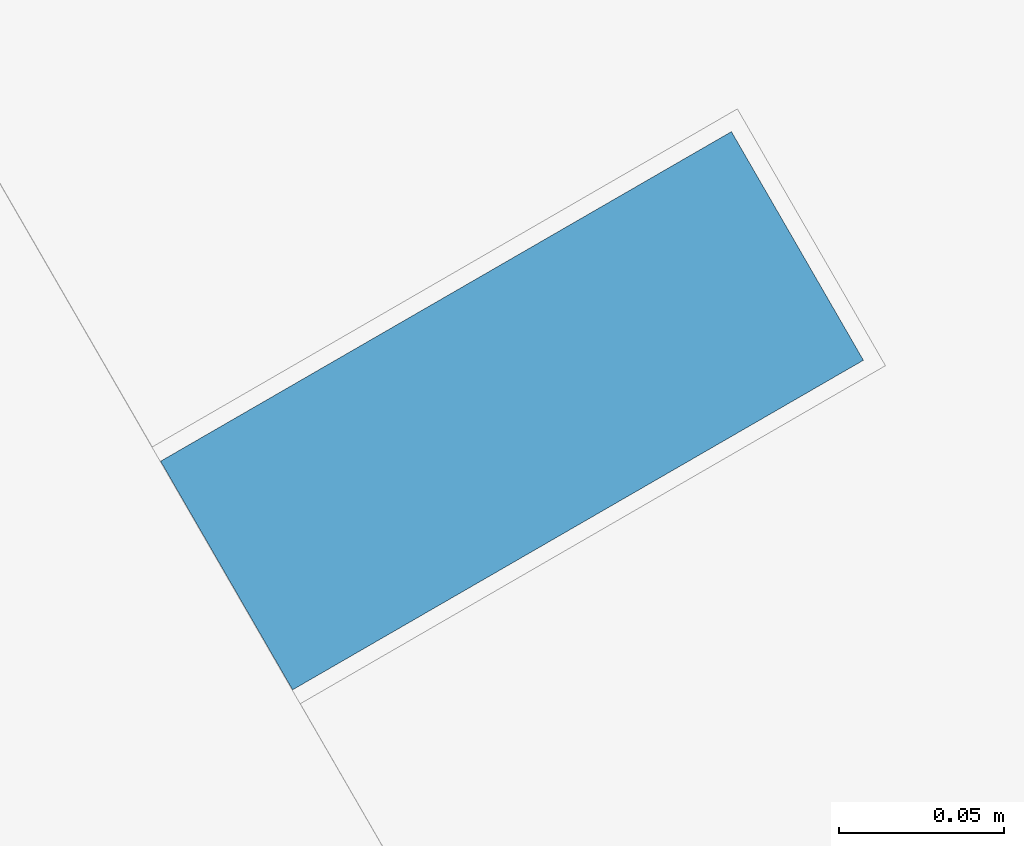
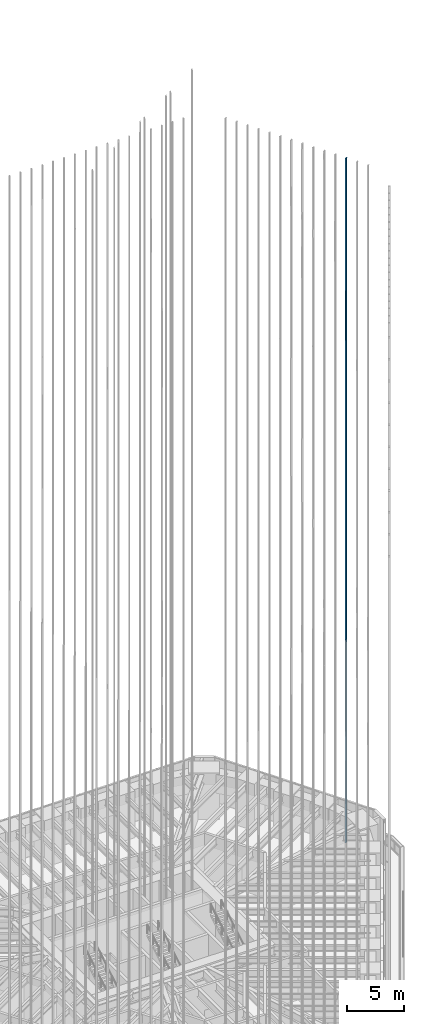
# One storey, part 181 of 228: 1 member, 1 element without a shape of its own.
"""IFC4 building model written with IfcOpenShell, lengths in metres."""

from ifc_helpers import new_model, si_unit, direction, frame, origin, origin_2d, place, context, subcontext, project, spatial, rectangle, extrude, material, material_profile, profile_set, type_object, element, aggregate, save


model = new_model("IFC4")

# Units and contexts
model_context = context("Model", 3, precision=1e-05, world=origin(), true_north=direction((0.0, 1.0)))
body_context = subcontext(model_context, "Body", "Model", "MODEL_VIEW")
ifc_project = project(units=[si_unit("LENGTHUNIT", "METRE"), si_unit("AREAUNIT", "SQUARE_METRE"), si_unit("VOLUMEUNIT", "CUBIC_METRE"), si_unit("PLANEANGLEUNIT", "RADIAN"), si_unit("MASSUNIT", "GRAM", prefix="KILO")], contexts=[model_context])

# Site, building, storey
site_placement = place(None, origin())
site = spatial("IfcSite", under=ifc_project, at=site_placement, CompositionType="ELEMENT")
building_placement = place(site_placement, origin())
building = spatial("IfcBuilding", under=site, at=building_placement, Name="Sandreach Pilgrim Tower", CompositionType="ELEMENT")
storey_placement = place(building_placement, frame((0.0, 0.0, 178.199951171875)))
storey = spatial("IfcBuildingStorey", under=building, at=storey_placement, Name="L44", CompositionType="ELEMENT", Elevation=178.199951171875)

# Curtain wall, member
ifc_material_1 = material(Name="Aluminium framed curtain wall", Category="aluminium")
curtain_wall_type = type_object("IfcCurtainWallType", Name="Upper hotel tower curtain wall", PredefinedType="NOTDEFINED", material=ifc_material_1)
curtain_wall_placement = place(storey_placement, origin())
curtain_wall = element("IfcCurtainWall", 1, at=curtain_wall_placement, inside=storey, type_object=curtain_wall_type, Name="CW-3 L44 NE", PredefinedType="NOTDEFINED")
ifc_material_2 = material(Name="Extruded terracotta on aluminium core", Category="masonry")
ifc_material_profile = material_profile(ifc_material_2, rectangle(XDim=0.080078125, YDim=0.199951171875, at=origin_2d()), Name="TBE 80X200")
ifc_profile_set = profile_set([ifc_material_profile], Name="Extruded terracotta on aluminium core")
member_type = type_object("IfcMemberType", Name="Terracotta baguette east", PredefinedType="USERDEFINED", material=ifc_profile_set)
member_placement = place(storey_placement, frame((25.81640625, 9.135009765625, 0.0), z_axis=(0.0, 0.0, 1.0), x_axis=(0.5, -0.866025403784, 0.0)))
member = element("IfcMember", 2, at=member_placement, type_object=member_type, Name="Baguette Z3 NE12", ObjectType="BAGUETTE", PredefinedType="USERDEFINED", context=body_context, shape_type="SweptSolid", body=[
    extrude(rectangle(XDim=0.080078125, YDim=0.199951171875, at=origin_2d()), origin(), (0.0, 0.0, 1.0), 73.239990234375),
])
aggregate(curtain_wall, [member])

save(model, "model.ifc")
